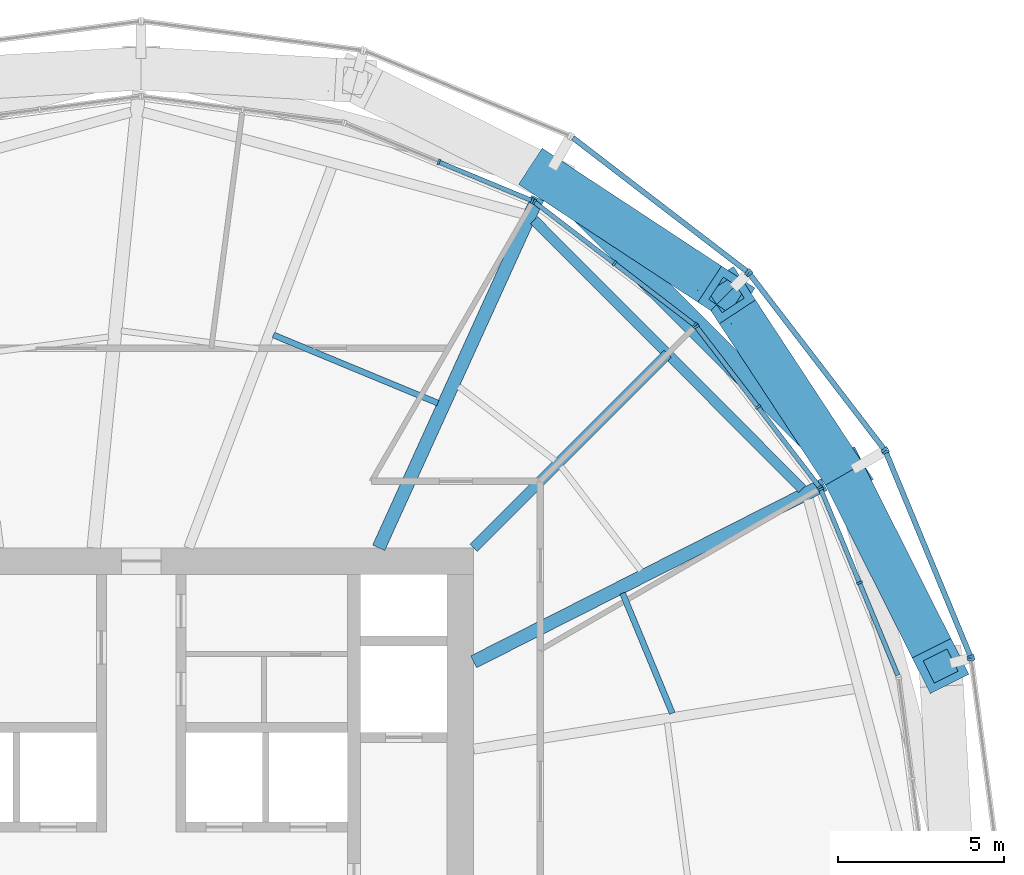
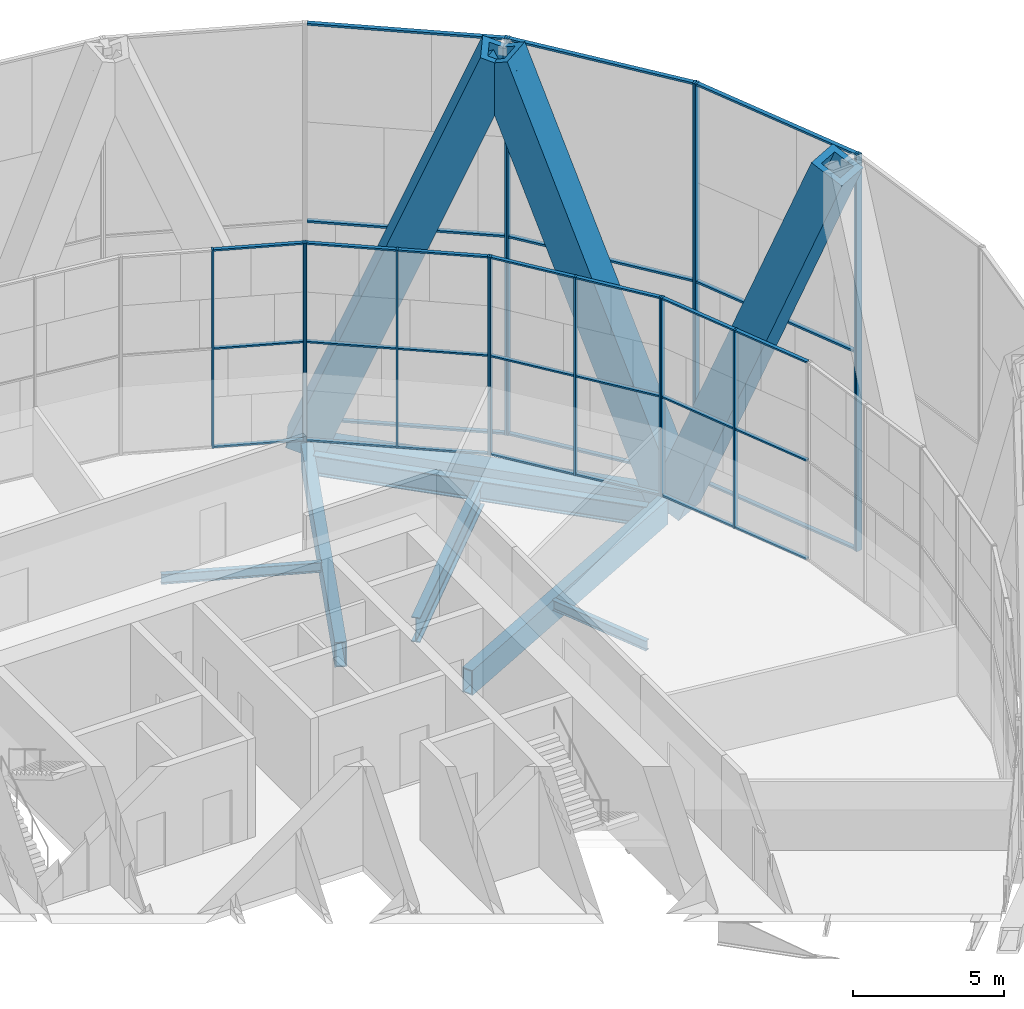
# One storey, part 8 of 22: 49 members, 7 beams, 8 elements without a shape of their own.
"""IFC4 building model written with IfcOpenShell, lengths in metres."""

from ifc_helpers import new_model, si_unit, direction, frame, origin, origin_2d, place, context, subcontext, project, spatial, rectangle, hollow_rectangle, i_section, extrude, material, material_profile, profile_set, type_object, element, aggregate, save


model = new_model("IFC4")

# Units and contexts
model_context = context("Model", 3, precision=1e-05, world=origin(), true_north=direction((0.0, 1.0)))
body_context = subcontext(model_context, "Body", "Model", "MODEL_VIEW")
ifc_project = project(units=[si_unit("LENGTHUNIT", "METRE"), si_unit("AREAUNIT", "SQUARE_METRE"), si_unit("VOLUMEUNIT", "CUBIC_METRE"), si_unit("PLANEANGLEUNIT", "RADIAN"), si_unit("MASSUNIT", "GRAM", prefix="KILO")], contexts=[model_context])

# Site, building, storey
site_placement = place(None, origin())
site = spatial("IfcSite", under=ifc_project, at=site_placement, CompositionType="ELEMENT")
building_placement = place(site_placement, origin())
building = spatial("IfcBuilding", under=site, at=building_placement, Name="Golbaran Civic Tower", CompositionType="ELEMENT")
storey_placement = place(building_placement, frame((0.0, 0.0, 53.0)))
storey = spatial("IfcBuildingStorey", under=building, at=storey_placement, Name="L12", CompositionType="ELEMENT", Elevation=53.0)

# Members
ifc_material_1 = material(Name="Steel S355", Category="steel")
ifc_material_profile_1 = material_profile(ifc_material_1, hollow_rectangle(XDim=1.300048828125, YDim=1.300048828125, WallThickness=0.25, at=origin_2d()), Name="BOX 1300x1300x250")
ifc_profile_set_1 = profile_set([ifc_material_profile_1], Name="Steel S355")
member_type_1 = type_object("IfcMemberType", Name="DIAGRID DIAGONAL BOX 1300x1300x250", PredefinedType="BRACE", material=ifc_profile_set_1)
for number, where, z_axis, x_axis, name in (
    (1, (21.144775390625, 12.2080078125, -0.7099609375), (-0.205433100936, 0.312571904213, 0.927413632494), (-0.835670254268, -0.549231486835, 0.0), "Diagonal D02-01R L12-L16"),
    (2, (21.144775390625, 12.2080078125, -0.7099609375), (0.167988782201, -0.334194514401, 0.927412419368), (0.893471758734, 0.449119378723, 0.0), "Diagonal D02-01L L12-L16"),
    (3, (12.2080078125, 21.144775390625, -0.7099609375), (0.312571904213, -0.205433100936, 0.927413632494), (0.549231486835, 0.835670254268, 0.0), "Diagonal D02-02L L12-L16"),
):
    element("IfcMember", number, at=place(storey_placement, frame(where, z_axis=z_axis, x_axis=x_axis)), inside=storey, type_object=member_type_1, Name=name, PredefinedType="BRACE", context=body_context, shape_type="SweptSolid", body=[
        extrude(hollow_rectangle(XDim=1.300048828125, YDim=1.300048828125, WallThickness=0.25, at=origin_2d()), origin(), (0.0, 0.0, 1.0), 17.252197265625),
    ])

# Beams
ifc_material_profile_2 = material_profile(ifc_material_1, hollow_rectangle(XDim=0.699951171875, YDim=0.699951171875, WallThickness=0.080078125, at=origin_2d()), Name="BOX 700x700x80")
ifc_profile_set_2 = profile_set([ifc_material_profile_2], Name="Steel S355")
beam_type_1 = type_object("IfcBeamType", Name="DIAGRID RING TIE BOX 700x700x80", PredefinedType="BEAM", material=ifc_profile_set_2)
beam_1_placement = place(storey_placement, frame((21.144775390625, 12.2080078125, -0.7099609375), z_axis=(-0.707106781187, 0.707106781187, 0.0), x_axis=(-0.707106781187, -0.707106781187, 0.0)))
element("IfcBeam", 4, at=beam_1_placement, inside=storey, type_object=beam_type_1, Name="Ring tie 30.00 L12", PredefinedType="BEAM", context=body_context, shape_type="SweptSolid", body=[
    extrude(hollow_rectangle(XDim=0.699951171875, YDim=0.699951171875, WallThickness=0.080078125, at=origin_2d()), origin(), (0.0, 0.0, 1.0), 12.638427734375),
])
ifc_material_profile_3 = material_profile(ifc_material_1, i_section(OverallWidth=0.300048828125, OverallDepth=0.800048828125, WebThickness=0.017578125, FlangeThickness=0.032958984375, FilletRadius=0.030029296875, at=origin_2d()), Name="HEB 800")
ifc_profile_set_3 = profile_set([ifc_material_profile_3], Name="Steel S355")
beam_type_2 = type_object("IfcBeamType", Name="EDGE BEAM HEB 800", PredefinedType="BEAM", material=ifc_profile_set_3)
beam_2_placement = place(storey_placement, frame((19.88232421875, 11.771240234375, -0.60009765625), z_axis=(-0.706293695852, 0.707918932647, 0.0), x_axis=(-0.707918932647, -0.706293695852, 0.0)))
element("IfcBeam", 5, at=beam_2_placement, inside=storey, type_object=beam_type_2, Name="Edge beam 30.00 L12", PredefinedType="BEAM", context=body_context, shape_type="SweptSolid", body=[
    extrude(i_section(OverallWidth=0.300048828125, OverallDepth=0.800048828125, WebThickness=0.017578125, FlangeThickness=0.032958984375, FilletRadius=0.030029296875, at=origin_2d()), origin(), (0.0, 0.0, 1.0), 11.41650390625),
])
ifc_material_profile_4 = material_profile(ifc_material_1, i_section(OverallWidth=0.179931640625, OverallDepth=0.39990234375, WebThickness=0.008544921875, FlangeThickness=0.013427734375, FilletRadius=0.02099609375, at=origin_2d()), Name="IPE 400")
ifc_profile_set_4 = profile_set([ifc_material_profile_4], Name="Steel S355")
beam_type_3 = type_object("IfcBeamType", Name="FLOOR INFILL BEAM IPE 400", PredefinedType="BEAM", material=ifc_profile_set_4)
beam_3_placement = place(storey_placement, frame((15.973388671875, 5.023193359375, -0.39990234375), z_axis=(-0.382649693882, 0.923893506727, 0.0), x_axis=(-0.923893506727, -0.382649693882, 0.0)))
element("IfcBeam", 6, at=beam_3_placement, inside=storey, type_object=beam_type_3, Name="Infill beam 22.50 L12", PredefinedType="BEAM", context=body_context, shape_type="SweptSolid", body=[
    extrude(i_section(OverallWidth=0.179931640625, OverallDepth=0.39990234375, WebThickness=0.008544921875, FlangeThickness=0.013427734375, FilletRadius=0.02099609375, at=origin_2d()), origin(), (0.0, 0.0, 1.0), 3.908447265625),
])
beam_4_placement = place(storey_placement, frame((8.923095703125, 14.35205078125, -0.39990234375), z_axis=(-0.923884052743, 0.382672519379, 0.0), x_axis=(-0.382672519379, -0.923884052743, 0.0)))
element("IfcBeam", 7, at=beam_4_placement, inside=storey, type_object=beam_type_3, Name="Infill beam 67.50 L12", PredefinedType="BEAM", context=body_context, shape_type="SweptSolid", body=[
    extrude(i_section(OverallWidth=0.179931640625, OverallDepth=0.39990234375, WebThickness=0.008544921875, FlangeThickness=0.013427734375, FilletRadius=0.02099609375, at=origin_2d()), origin(), (0.0, 0.0, 1.0), 5.35595703125),
])

# Curtain wall, members
ifc_material_2 = material(Name="Aluminium and glass", Category="aluminium")
curtain_wall_type_1 = type_object("IfcCurtainWallType", Name="INNER SKIN CURTAIN WALL", PredefinedType="NOTDEFINED", material=ifc_material_2)
curtain_wall_1_placement = place(storey_placement, origin())
curtain_wall_1 = element("IfcCurtainWall", 8, at=curtain_wall_1_placement, inside=storey, type_object=curtain_wall_type_1, Name="Inner skin L12 facet 2 CW1", ObjectType="INNER SKIN", PredefinedType="USERDEFINED")
ifc_material_3 = material(Name="Aluminium", Category="aluminium")
ifc_material_profile_5 = material_profile(ifc_material_3, rectangle(XDim=0.179931640625, YDim=0.06494140625, at=origin_2d()), Name="INNER SKIN CURTAIN WALL MULLION")
ifc_profile_set_5 = profile_set([ifc_material_profile_5], Name="Aluminium")
member_type_2 = type_object("IfcMemberType", Name="INNER SKIN CURTAIN WALL MULLION", PredefinedType="MULLION", material=ifc_profile_set_5)
member_1_placement = place(storey_placement, frame((21.603271484375, 8.948486328125, 0.0), z_axis=(0.0, 0.0, 1.0), x_axis=(-0.923879532491, -0.382683432413, 0.0)))
member_1 = element("IfcMember", 9, at=member_1_placement, type_object=member_type_2, Name="CW1 mullion 2", PredefinedType="MULLION", context=body_context, shape_type="SweptSolid", body=[
    extrude(rectangle(XDim=0.179931640625, YDim=0.06494140625, at=origin_2d()), origin(), (0.0, 0.0, 1.0), 8.0),
])
member_2_placement = place(storey_placement, frame((20.437744140625, 11.762451171875, 0.0), z_axis=(0.0, 0.0, 1.0), x_axis=(-0.923879532491, -0.382683432413, 0.0)))
member_2 = element("IfcMember", 10, at=member_2_placement, type_object=member_type_2, Name="CW1 mullion 3", PredefinedType="MULLION", context=body_context, shape_type="SweptSolid", body=[
    extrude(rectangle(XDim=0.179931640625, YDim=0.06494140625, at=origin_2d()), origin(), (0.0, 0.0, 1.0), 8.0),
])

curtain_wall_2_placement = place(storey_placement, origin())
curtain_wall_2 = element("IfcCurtainWall", 11, at=curtain_wall_2_placement, inside=storey, type_object=curtain_wall_type_1, Name="Inner skin L12 facet 3 CW1", ObjectType="INNER SKIN", PredefinedType="USERDEFINED")
member_3_placement = place(storey_placement, frame((20.405517578125, 11.818359375, 0.0), z_axis=(0.0, 0.0, 1.0), x_axis=(-0.79335334027, -0.608761429036, 0.0)))
member_3 = element("IfcMember", 12, at=member_3_placement, type_object=member_type_2, Name="CW1 mullion 1", PredefinedType="MULLION", context=body_context, shape_type="SweptSolid", body=[
    extrude(rectangle(XDim=0.179931640625, YDim=0.06494140625, at=origin_2d()), origin(), (0.0, 0.0, 1.0), 8.0),
])
member_4_placement = place(storey_placement, frame((18.55126953125, 14.23486328125, 0.0), z_axis=(0.0, 0.0, 1.0), x_axis=(-0.79335334027, -0.608761429036, 0.0)))
member_4 = element("IfcMember", 13, at=member_4_placement, type_object=member_type_2, Name="CW1 mullion 2", PredefinedType="MULLION", context=body_context, shape_type="SweptSolid", body=[
    extrude(rectangle(XDim=0.179931640625, YDim=0.06494140625, at=origin_2d()), origin(), (0.0, 0.0, 1.0), 8.0),
])
member_5_placement = place(storey_placement, frame((16.69677734375, 16.6513671875, 0.0), z_axis=(0.0, 0.0, 1.0), x_axis=(-0.79335334027, -0.608761429036, 0.0)))
member_5 = element("IfcMember", 14, at=member_5_placement, type_object=member_type_2, Name="CW1 mullion 3", PredefinedType="MULLION", context=body_context, shape_type="SweptSolid", body=[
    extrude(rectangle(XDim=0.179931640625, YDim=0.06494140625, at=origin_2d()), origin(), (0.0, 0.0, 1.0), 8.0),
])

curtain_wall_3_placement = place(storey_placement, origin())
curtain_wall_3 = element("IfcCurtainWall", 15, at=curtain_wall_3_placement, inside=storey, type_object=curtain_wall_type_1, Name="Inner skin L12 facet 4 CW1", ObjectType="INNER SKIN", PredefinedType="USERDEFINED")
member_6_placement = place(storey_placement, frame((16.6513671875, 16.69677734375, 0.0), z_axis=(0.0, 0.0, 1.0), x_axis=(-0.608761429036, -0.79335334027, 0.0)))
member_6 = element("IfcMember", 16, at=member_6_placement, type_object=member_type_2, Name="CW1 mullion 1", PredefinedType="MULLION", context=body_context, shape_type="SweptSolid", body=[
    extrude(rectangle(XDim=0.179931640625, YDim=0.06494140625, at=origin_2d()), origin(), (0.0, 0.0, 1.0), 8.0),
])
member_7_placement = place(storey_placement, frame((14.23486328125, 18.55126953125, 0.0), z_axis=(0.0, 0.0, 1.0), x_axis=(-0.608761429036, -0.79335334027, 0.0)))
member_7 = element("IfcMember", 17, at=member_7_placement, type_object=member_type_2, Name="CW1 mullion 2", PredefinedType="MULLION", context=body_context, shape_type="SweptSolid", body=[
    extrude(rectangle(XDim=0.179931640625, YDim=0.06494140625, at=origin_2d()), origin(), (0.0, 0.0, 1.0), 8.0),
])
member_8_placement = place(storey_placement, frame((11.818359375, 20.405517578125, 0.0), z_axis=(0.0, 0.0, 1.0), x_axis=(-0.608761429036, -0.79335334027, 0.0)))
member_8 = element("IfcMember", 18, at=member_8_placement, type_object=member_type_2, Name="CW1 mullion 3", PredefinedType="MULLION", context=body_context, shape_type="SweptSolid", body=[
    extrude(rectangle(XDim=0.179931640625, YDim=0.06494140625, at=origin_2d()), origin(), (0.0, 0.0, 1.0), 8.0),
])

curtain_wall_4_placement = place(storey_placement, origin())
curtain_wall_4 = element("IfcCurtainWall", 19, at=curtain_wall_4_placement, inside=storey, type_object=curtain_wall_type_1, Name="Inner skin L12 facet 5 CW1", ObjectType="INNER SKIN", PredefinedType="USERDEFINED")
member_9_placement = place(storey_placement, frame((11.762451171875, 20.437744140625, 0.0), z_axis=(0.0, 0.0, 1.0), x_axis=(-0.382683432413, -0.923879532491, 0.0)))
member_9 = element("IfcMember", 20, at=member_9_placement, type_object=member_type_2, Name="CW1 mullion 1", PredefinedType="MULLION", context=body_context, shape_type="SweptSolid", body=[
    extrude(rectangle(XDim=0.179931640625, YDim=0.06494140625, at=origin_2d()), origin(), (0.0, 0.0, 1.0), 8.0),
])
member_10_placement = place(storey_placement, frame((8.948486328125, 21.603271484375, 0.0), z_axis=(0.0, 0.0, 1.0), x_axis=(-0.382683432413, -0.923879532491, 0.0)))
member_10 = element("IfcMember", 21, at=member_10_placement, type_object=member_type_2, Name="CW1 mullion 2", PredefinedType="MULLION", context=body_context, shape_type="SweptSolid", body=[
    extrude(rectangle(XDim=0.179931640625, YDim=0.06494140625, at=origin_2d()), origin(), (0.0, 0.0, 1.0), 8.0),
])

# Member
ifc_material_profile_6 = material_profile(ifc_material_3, rectangle(XDim=0.139892578125, YDim=0.06494140625, at=origin_2d()), Name="INNER SKIN CURTAIN WALL TRANSOM")
ifc_profile_set_6 = profile_set([ifc_material_profile_6], Name="Aluminium")
member_type_3 = type_object("IfcMemberType", Name="INNER SKIN CURTAIN WALL TRANSOM", PredefinedType="USERDEFINED", material=ifc_profile_set_6)
member_11_placement = place(storey_placement, frame((22.756591796875, 6.164306640625, 0.032470703125), z_axis=(-0.382701383548, 0.923872096684, 0.0), x_axis=(-0.923872096684, -0.382701383548, 0.0)))
member_11 = element("IfcMember", 22, at=member_11_placement, type_object=member_type_3, Name="CW1 transom 1.1", ObjectType="TRANSOM", PredefinedType="USERDEFINED", context=body_context, shape_type="SweptSolid", body=[
    extrude(rectangle(XDim=0.139892578125, YDim=0.06494140625, at=origin_2d()), origin(), (0.0, 0.0, 1.0), 2.981201171875),
])

member_12_placement = place(storey_placement, frame((22.756591796875, 6.164306640625, 4.0), z_axis=(-0.382701383548, 0.923872096684, 0.0), x_axis=(-0.923872096684, -0.382701383548, 0.0)))
member_12 = element("IfcMember", 23, at=member_12_placement, type_object=member_type_3, Name="CW1 transom 1.2", ObjectType="TRANSOM", PredefinedType="USERDEFINED", context=body_context, shape_type="SweptSolid", body=[
    extrude(rectangle(XDim=0.139892578125, YDim=0.06494140625, at=origin_2d()), origin(), (0.0, 0.0, 1.0), 2.981201171875),
])

member_13_placement = place(storey_placement, frame((22.756591796875, 6.164306640625, 7.967529296875), z_axis=(-0.382701383548, 0.923872096684, 0.0), x_axis=(-0.923872096684, -0.382701383548, 0.0)))
member_13 = element("IfcMember", 24, at=member_13_placement, type_object=member_type_3, Name="CW1 transom 1.3", ObjectType="TRANSOM", PredefinedType="USERDEFINED", context=body_context, shape_type="SweptSolid", body=[
    extrude(rectangle(XDim=0.139892578125, YDim=0.06494140625, at=origin_2d()), origin(), (0.0, 0.0, 1.0), 2.981201171875),
])

member_14_placement = place(storey_placement, frame((21.5908203125, 8.978515625, 0.032470703125), z_axis=(-0.382660432893, 0.923889058869, 0.0), x_axis=(-0.923889058869, -0.382660432893, 0.0)))
member_14 = element("IfcMember", 25, at=member_14_placement, type_object=member_type_3, Name="CW1 transom 2.1", ObjectType="TRANSOM", PredefinedType="USERDEFINED", context=body_context, shape_type="SweptSolid", body=[
    extrude(rectangle(XDim=0.139892578125, YDim=0.06494140625, at=origin_2d()), origin(), (0.0, 0.0, 1.0), 2.980712890625),
])

member_15_placement = place(storey_placement, frame((21.5908203125, 8.978515625, 4.0), z_axis=(-0.382660432893, 0.923889058869, 0.0), x_axis=(-0.923889058869, -0.382660432893, 0.0)))
member_15 = element("IfcMember", 26, at=member_15_placement, type_object=member_type_3, Name="CW1 transom 2.2", ObjectType="TRANSOM", PredefinedType="USERDEFINED", context=body_context, shape_type="SweptSolid", body=[
    extrude(rectangle(XDim=0.139892578125, YDim=0.06494140625, at=origin_2d()), origin(), (0.0, 0.0, 1.0), 2.980712890625),
])

member_16_placement = place(storey_placement, frame((21.5908203125, 8.978515625, 7.967529296875), z_axis=(-0.382660432893, 0.923889058869, 0.0), x_axis=(-0.923889058869, -0.382660432893, 0.0)))
member_16 = element("IfcMember", 27, at=member_16_placement, type_object=member_type_3, Name="CW1 transom 2.3", ObjectType="TRANSOM", PredefinedType="USERDEFINED", context=body_context, shape_type="SweptSolid", body=[
    extrude(rectangle(XDim=0.139892578125, YDim=0.06494140625, at=origin_2d()), origin(), (0.0, 0.0, 1.0), 2.980712890625),
])

aggregate(curtain_wall_1, [member_1, member_2, member_11, member_12, member_13, member_14, member_15, member_16])

member_17_placement = place(storey_placement, frame((20.3857421875, 11.843994140625, 0.032470703125), z_axis=(-0.608756452926, 0.793357158549, 0.0), x_axis=(-0.793357158549, -0.608756452926, 0.0)))
member_17 = element("IfcMember", 28, at=member_17_placement, type_object=member_type_3, Name="CW1 transom 1.1", ObjectType="TRANSOM", PredefinedType="USERDEFINED", context=body_context, shape_type="SweptSolid", body=[
    extrude(rectangle(XDim=0.139892578125, YDim=0.06494140625, at=origin_2d()), origin(), (0.0, 0.0, 1.0), 2.98095703125),
])

member_18_placement = place(storey_placement, frame((20.3857421875, 11.843994140625, 4.0), z_axis=(-0.608756452926, 0.793357158549, 0.0), x_axis=(-0.793357158549, -0.608756452926, 0.0)))
member_18 = element("IfcMember", 29, at=member_18_placement, type_object=member_type_3, Name="CW1 transom 1.2", ObjectType="TRANSOM", PredefinedType="USERDEFINED", context=body_context, shape_type="SweptSolid", body=[
    extrude(rectangle(XDim=0.139892578125, YDim=0.06494140625, at=origin_2d()), origin(), (0.0, 0.0, 1.0), 2.98095703125),
])

member_19_placement = place(storey_placement, frame((20.3857421875, 11.843994140625, 7.967529296875), z_axis=(-0.608756452926, 0.793357158549, 0.0), x_axis=(-0.793357158549, -0.608756452926, 0.0)))
member_19 = element("IfcMember", 30, at=member_19_placement, type_object=member_type_3, Name="CW1 transom 1.3", ObjectType="TRANSOM", PredefinedType="USERDEFINED", context=body_context, shape_type="SweptSolid", body=[
    extrude(rectangle(XDim=0.139892578125, YDim=0.06494140625, at=origin_2d()), origin(), (0.0, 0.0, 1.0), 2.98095703125),
])

member_20_placement = place(storey_placement, frame((18.531494140625, 14.260498046875, 0.032470703125), z_axis=(-0.608756452926, 0.793357158549, 0.0), x_axis=(-0.793357158549, -0.608756452926, 0.0)))
member_20 = element("IfcMember", 31, at=member_20_placement, type_object=member_type_3, Name="CW1 transom 2.1", ObjectType="TRANSOM", PredefinedType="USERDEFINED", context=body_context, shape_type="SweptSolid", body=[
    extrude(rectangle(XDim=0.139892578125, YDim=0.06494140625, at=origin_2d()), origin(), (0.0, 0.0, 1.0), 2.98095703125),
])

member_21_placement = place(storey_placement, frame((18.531494140625, 14.260498046875, 4.0), z_axis=(-0.608756452926, 0.793357158549, 0.0), x_axis=(-0.793357158549, -0.608756452926, 0.0)))
member_21 = element("IfcMember", 32, at=member_21_placement, type_object=member_type_3, Name="CW1 transom 2.2", ObjectType="TRANSOM", PredefinedType="USERDEFINED", context=body_context, shape_type="SweptSolid", body=[
    extrude(rectangle(XDim=0.139892578125, YDim=0.06494140625, at=origin_2d()), origin(), (0.0, 0.0, 1.0), 2.98095703125),
])

member_22_placement = place(storey_placement, frame((18.531494140625, 14.260498046875, 7.967529296875), z_axis=(-0.608756452926, 0.793357158549, 0.0), x_axis=(-0.793357158549, -0.608756452926, 0.0)))
member_22 = element("IfcMember", 33, at=member_22_placement, type_object=member_type_3, Name="CW1 transom 2.3", ObjectType="TRANSOM", PredefinedType="USERDEFINED", context=body_context, shape_type="SweptSolid", body=[
    extrude(rectangle(XDim=0.139892578125, YDim=0.06494140625, at=origin_2d()), origin(), (0.0, 0.0, 1.0), 2.98095703125),
])

aggregate(curtain_wall_2, [member_3, member_4, member_5, member_17, member_18, member_19, member_20, member_21, member_22])

member_23_placement = place(storey_placement, frame((16.62548828125, 16.716796875, 0.032470703125), z_axis=(-0.793357158549, 0.608756452926, 0.0), x_axis=(-0.608756452926, -0.793357158549, 0.0)))
member_23 = element("IfcMember", 34, at=member_23_placement, type_object=member_type_3, Name="CW1 transom 1.1", ObjectType="TRANSOM", PredefinedType="USERDEFINED", context=body_context, shape_type="SweptSolid", body=[
    extrude(rectangle(XDim=0.139892578125, YDim=0.06494140625, at=origin_2d()), origin(), (0.0, 0.0, 1.0), 2.98095703125),
])

member_24_placement = place(storey_placement, frame((16.62548828125, 16.716796875, 4.0), z_axis=(-0.793357158549, 0.608756452926, 0.0), x_axis=(-0.608756452926, -0.793357158549, 0.0)))
member_24 = element("IfcMember", 35, at=member_24_placement, type_object=member_type_3, Name="CW1 transom 1.2", ObjectType="TRANSOM", PredefinedType="USERDEFINED", context=body_context, shape_type="SweptSolid", body=[
    extrude(rectangle(XDim=0.139892578125, YDim=0.06494140625, at=origin_2d()), origin(), (0.0, 0.0, 1.0), 2.98095703125),
])

member_25_placement = place(storey_placement, frame((16.62548828125, 16.716796875, 7.967529296875), z_axis=(-0.793357158549, 0.608756452926, 0.0), x_axis=(-0.608756452926, -0.793357158549, 0.0)))
member_25 = element("IfcMember", 36, at=member_25_placement, type_object=member_type_3, Name="CW1 transom 1.3", ObjectType="TRANSOM", PredefinedType="USERDEFINED", context=body_context, shape_type="SweptSolid", body=[
    extrude(rectangle(XDim=0.139892578125, YDim=0.06494140625, at=origin_2d()), origin(), (0.0, 0.0, 1.0), 2.98095703125),
])

member_26_placement = place(storey_placement, frame((14.208984375, 18.571044921875, 0.032470703125), z_axis=(-0.793357158549, 0.608756452926, 0.0), x_axis=(-0.608756452926, -0.793357158549, 0.0)))
member_26 = element("IfcMember", 37, at=member_26_placement, type_object=member_type_3, Name="CW1 transom 2.1", ObjectType="TRANSOM", PredefinedType="USERDEFINED", context=body_context, shape_type="SweptSolid", body=[
    extrude(rectangle(XDim=0.139892578125, YDim=0.06494140625, at=origin_2d()), origin(), (0.0, 0.0, 1.0), 2.98095703125),
])

member_27_placement = place(storey_placement, frame((14.208984375, 18.571044921875, 4.0), z_axis=(-0.793357158549, 0.608756452926, 0.0), x_axis=(-0.608756452926, -0.793357158549, 0.0)))
member_27 = element("IfcMember", 38, at=member_27_placement, type_object=member_type_3, Name="CW1 transom 2.2", ObjectType="TRANSOM", PredefinedType="USERDEFINED", context=body_context, shape_type="SweptSolid", body=[
    extrude(rectangle(XDim=0.139892578125, YDim=0.06494140625, at=origin_2d()), origin(), (0.0, 0.0, 1.0), 2.98095703125),
])

member_28_placement = place(storey_placement, frame((14.208984375, 18.571044921875, 7.967529296875), z_axis=(-0.793357158549, 0.608756452926, 0.0), x_axis=(-0.608756452926, -0.793357158549, 0.0)))
member_28 = element("IfcMember", 39, at=member_28_placement, type_object=member_type_3, Name="CW1 transom 2.3", ObjectType="TRANSOM", PredefinedType="USERDEFINED", context=body_context, shape_type="SweptSolid", body=[
    extrude(rectangle(XDim=0.139892578125, YDim=0.06494140625, at=origin_2d()), origin(), (0.0, 0.0, 1.0), 2.98095703125),
])

aggregate(curtain_wall_3, [member_6, member_7, member_8, member_23, member_24, member_25, member_26, member_27, member_28])

member_29_placement = place(storey_placement, frame((11.732421875, 20.4501953125, 0.032470703125), z_axis=(-0.923889058869, 0.382660432893, 0.0), x_axis=(-0.382660432893, -0.923889058869, 0.0)))
member_29 = element("IfcMember", 40, at=member_29_placement, type_object=member_type_3, Name="CW1 transom 1.1", ObjectType="TRANSOM", PredefinedType="USERDEFINED", context=body_context, shape_type="SweptSolid", body=[
    extrude(rectangle(XDim=0.139892578125, YDim=0.06494140625, at=origin_2d()), origin(), (0.0, 0.0, 1.0), 2.980712890625),
])

member_30_placement = place(storey_placement, frame((11.732421875, 20.4501953125, 4.0), z_axis=(-0.923889058869, 0.382660432893, 0.0), x_axis=(-0.382660432893, -0.923889058869, 0.0)))
member_30 = element("IfcMember", 41, at=member_30_placement, type_object=member_type_3, Name="CW1 transom 1.2", ObjectType="TRANSOM", PredefinedType="USERDEFINED", context=body_context, shape_type="SweptSolid", body=[
    extrude(rectangle(XDim=0.139892578125, YDim=0.06494140625, at=origin_2d()), origin(), (0.0, 0.0, 1.0), 2.980712890625),
])

member_31_placement = place(storey_placement, frame((11.732421875, 20.4501953125, 7.967529296875), z_axis=(-0.923889058869, 0.382660432893, 0.0), x_axis=(-0.382660432893, -0.923889058869, 0.0)))
member_31 = element("IfcMember", 42, at=member_31_placement, type_object=member_type_3, Name="CW1 transom 1.3", ObjectType="TRANSOM", PredefinedType="USERDEFINED", context=body_context, shape_type="SweptSolid", body=[
    extrude(rectangle(XDim=0.139892578125, YDim=0.06494140625, at=origin_2d()), origin(), (0.0, 0.0, 1.0), 2.980712890625),
])

aggregate(curtain_wall_4, [member_9, member_10, member_29, member_30, member_31])

# Curtain wall, member
curtain_wall_type_2 = type_object("IfcCurtainWallType", Name="OUTER SKIN TERRACOTTA SCREEN", PredefinedType="NOTDEFINED", material=ifc_material_2)
curtain_wall_5_placement = place(storey_placement, origin())
curtain_wall_5 = element("IfcCurtainWall", 43, at=curtain_wall_5_placement, inside=storey, type_object=curtain_wall_type_2, Name="Outer skin L12 facet 1 CW3", ObjectType="OUTER SKIN", PredefinedType="USERDEFINED")
ifc_material_profile_7 = material_profile(ifc_material_3, rectangle(XDim=0.219970703125, YDim=0.080078125, at=origin_2d()), Name="OUTER SKIN TERRACOTTA SCREEN MULLION")
ifc_profile_set_7 = profile_set([ifc_material_profile_7], Name="Aluminium")
member_type_4 = type_object("IfcMemberType", Name="OUTER SKIN TERRACOTTA SCREEN MULLION", PredefinedType="MULLION", material=ifc_profile_set_7)
member_32_placement = place(storey_placement, frame((24.9658203125, 6.6484375, -0.7099609375), z_axis=(0.0, 0.0, 1.0), x_axis=(-0.991444861369, -0.130526192255, 0.0)))
member_32 = element("IfcMember", 44, at=member_32_placement, type_object=member_type_4, Name="CW3 mullion 2", PredefinedType="MULLION", context=body_context, shape_type="SweptSolid", body=[
    extrude(rectangle(XDim=0.219970703125, YDim=0.080078125, at=origin_2d()), origin(), (0.0, 0.0, 1.0), 16.0),
])
aggregate(curtain_wall_5, [member_32])

# Curtain wall, members
curtain_wall_6_placement = place(storey_placement, origin())
curtain_wall_6 = element("IfcCurtainWall", 45, at=curtain_wall_6_placement, inside=storey, type_object=curtain_wall_type_2, Name="Outer skin L12 facet 2 CW3", ObjectType="OUTER SKIN", PredefinedType="USERDEFINED")
member_33_placement = place(storey_placement, frame((24.945068359375, 6.72509765625, -0.7099609375), z_axis=(0.0, 0.0, 1.0), x_axis=(-0.923879532518, -0.382683432349, 0.0)))
member_33 = element("IfcMember", 46, at=member_33_placement, type_object=member_type_4, Name="CW3 mullion 1", PredefinedType="MULLION", context=body_context, shape_type="SweptSolid", body=[
    extrude(rectangle(XDim=0.219970703125, YDim=0.080078125, at=origin_2d()), origin(), (0.0, 0.0, 1.0), 16.0),
])
member_34_placement = place(storey_placement, frame((22.394287109375, 12.883544921875, -0.7099609375), z_axis=(0.0, 0.0, 1.0), x_axis=(-0.923879532518, -0.382683432349, 0.0)))
member_34 = element("IfcMember", 47, at=member_34_placement, type_object=member_type_4, Name="CW3 mullion 2", PredefinedType="MULLION", context=body_context, shape_type="SweptSolid", body=[
    extrude(rectangle(XDim=0.219970703125, YDim=0.080078125, at=origin_2d()), origin(), (0.0, 0.0, 1.0), 16.0),
])

curtain_wall_7_placement = place(storey_placement, origin())
curtain_wall_7 = element("IfcCurtainWall", 48, at=curtain_wall_7_placement, inside=storey, type_object=curtain_wall_type_2, Name="Outer skin L12 facet 3 CW3", ObjectType="OUTER SKIN", PredefinedType="USERDEFINED")
member_35_placement = place(storey_placement, frame((22.3544921875, 12.9521484375, -0.7099609375), z_axis=(0.0, 0.0, 1.0), x_axis=(-0.793353340355, -0.608761428926, 0.0)))
member_35 = element("IfcMember", 49, at=member_35_placement, type_object=member_type_4, Name="CW3 mullion 1", PredefinedType="MULLION", context=body_context, shape_type="SweptSolid", body=[
    extrude(rectangle(XDim=0.219970703125, YDim=0.080078125, at=origin_2d()), origin(), (0.0, 0.0, 1.0), 16.0),
])
member_36_placement = place(storey_placement, frame((18.296630859375, 18.24072265625, -0.7099609375), z_axis=(0.0, 0.0, 1.0), x_axis=(-0.793353340355, -0.608761428926, 0.0)))
member_36 = element("IfcMember", 50, at=member_36_placement, type_object=member_type_4, Name="CW3 mullion 2", PredefinedType="MULLION", context=body_context, shape_type="SweptSolid", body=[
    extrude(rectangle(XDim=0.219970703125, YDim=0.080078125, at=origin_2d()), origin(), (0.0, 0.0, 1.0), 16.0),
])

# Curtain wall, member
curtain_wall_8_placement = place(storey_placement, origin())
curtain_wall_8 = element("IfcCurtainWall", 51, at=curtain_wall_8_placement, inside=storey, type_object=curtain_wall_type_2, Name="Outer skin L12 facet 4 CW3", ObjectType="OUTER SKIN", PredefinedType="USERDEFINED")
member_37_placement = place(storey_placement, frame((18.24072265625, 18.296630859375, -0.7099609375), z_axis=(0.0, 0.0, 1.0), x_axis=(-0.608761428926, -0.793353340355, 0.0)))
member_37 = element("IfcMember", 52, at=member_37_placement, type_object=member_type_4, Name="CW3 mullion 1", PredefinedType="MULLION", context=body_context, shape_type="SweptSolid", body=[
    extrude(rectangle(XDim=0.219970703125, YDim=0.080078125, at=origin_2d()), origin(), (0.0, 0.0, 1.0), 16.0),
])

# Member
ifc_material_profile_8 = material_profile(ifc_material_3, rectangle(XDim=0.159912109375, YDim=0.080078125, at=origin_2d()), Name="OUTER SKIN TERRACOTTA SCREEN TRANSOM")
ifc_profile_set_8 = profile_set([ifc_material_profile_8], Name="Aluminium")
member_type_5 = type_object("IfcMemberType", Name="OUTER SKIN TERRACOTTA SCREEN TRANSOM", PredefinedType="USERDEFINED", material=ifc_profile_set_8)
member_38_placement = place(storey_placement, frame((24.929931640625, 6.761962890625, -0.669921875), z_axis=(-0.382669364313, 0.923885359564, 0.0), x_axis=(-0.923885359564, -0.382669364313, 0.0)))
member_38 = element("IfcMember", 53, at=member_38_placement, type_object=member_type_5, Name="CW3 transom 1.1", ObjectType="TRANSOM", PredefinedType="USERDEFINED", context=body_context, shape_type="SweptSolid", body=[
    extrude(rectangle(XDim=0.159912109375, YDim=0.080078125, at=origin_2d()), origin(), (0.0, 0.0, 1.0), 6.5859375),
])

member_39_placement = place(storey_placement, frame((24.929931640625, 6.761962890625, 7.2900390625), z_axis=(-0.382669364313, 0.923885359564, 0.0), x_axis=(-0.923885359564, -0.382669364313, 0.0)))
member_39 = element("IfcMember", 54, at=member_39_placement, type_object=member_type_5, Name="CW3 transom 1.2", ObjectType="TRANSOM", PredefinedType="USERDEFINED", context=body_context, shape_type="SweptSolid", body=[
    extrude(rectangle(XDim=0.159912109375, YDim=0.080078125, at=origin_2d()), origin(), (0.0, 0.0, 1.0), 6.5859375),
])

member_40_placement = place(storey_placement, frame((24.929931640625, 6.761962890625, 15.25), z_axis=(-0.382669364313, 0.923885359564, 0.0), x_axis=(-0.923885359564, -0.382669364313, 0.0)))
member_40 = element("IfcMember", 55, at=member_40_placement, type_object=member_type_5, Name="CW3 transom 1.3", ObjectType="TRANSOM", PredefinedType="USERDEFINED", context=body_context, shape_type="SweptSolid", body=[
    extrude(rectangle(XDim=0.159912109375, YDim=0.080078125, at=origin_2d()), origin(), (0.0, 0.0, 1.0), 6.5859375),
])

aggregate(curtain_wall_6, [member_33, member_34, member_38, member_39, member_40])

member_41_placement = place(storey_placement, frame((22.330322265625, 12.98388671875, -0.669921875), z_axis=(-0.608753678221, 0.79335928762, 0.0), x_axis=(-0.79335928762, -0.608753678221, 0.0)))
member_41 = element("IfcMember", 56, at=member_41_placement, type_object=member_type_5, Name="CW3 transom 1.1", ObjectType="TRANSOM", PredefinedType="USERDEFINED", context=body_context, shape_type="SweptSolid", body=[
    extrude(rectangle(XDim=0.159912109375, YDim=0.080078125, at=origin_2d()), origin(), (0.0, 0.0, 1.0), 6.5859375),
])

member_42_placement = place(storey_placement, frame((22.330322265625, 12.98388671875, 7.2900390625), z_axis=(-0.608753678221, 0.79335928762, 0.0), x_axis=(-0.79335928762, -0.608753678221, 0.0)))
member_42 = element("IfcMember", 57, at=member_42_placement, type_object=member_type_5, Name="CW3 transom 1.2", ObjectType="TRANSOM", PredefinedType="USERDEFINED", context=body_context, shape_type="SweptSolid", body=[
    extrude(rectangle(XDim=0.159912109375, YDim=0.080078125, at=origin_2d()), origin(), (0.0, 0.0, 1.0), 6.5859375),
])

member_43_placement = place(storey_placement, frame((22.330322265625, 12.98388671875, 15.25), z_axis=(-0.608753678221, 0.79335928762, 0.0), x_axis=(-0.79335928762, -0.608753678221, 0.0)))
member_43 = element("IfcMember", 58, at=member_43_placement, type_object=member_type_5, Name="CW3 transom 1.3", ObjectType="TRANSOM", PredefinedType="USERDEFINED", context=body_context, shape_type="SweptSolid", body=[
    extrude(rectangle(XDim=0.159912109375, YDim=0.080078125, at=origin_2d()), origin(), (0.0, 0.0, 1.0), 6.5859375),
])

aggregate(curtain_wall_7, [member_35, member_36, member_41, member_42, member_43])

member_44_placement = place(storey_placement, frame((18.208984375, 18.321044921875, -0.669921875), z_axis=(-0.79335928762, 0.608753678221, 0.0), x_axis=(-0.608753678221, -0.79335928762, 0.0)))
member_44 = element("IfcMember", 59, at=member_44_placement, type_object=member_type_5, Name="CW3 transom 1.1", ObjectType="TRANSOM", PredefinedType="USERDEFINED", context=body_context, shape_type="SweptSolid", body=[
    extrude(rectangle(XDim=0.159912109375, YDim=0.080078125, at=origin_2d()), origin(), (0.0, 0.0, 1.0), 6.5859375),
])

member_45_placement = place(storey_placement, frame((18.208984375, 18.321044921875, 7.2900390625), z_axis=(-0.79335928762, 0.608753678221, 0.0), x_axis=(-0.608753678221, -0.79335928762, 0.0)))
member_45 = element("IfcMember", 60, at=member_45_placement, type_object=member_type_5, Name="CW3 transom 1.2", ObjectType="TRANSOM", PredefinedType="USERDEFINED", context=body_context, shape_type="SweptSolid", body=[
    extrude(rectangle(XDim=0.159912109375, YDim=0.080078125, at=origin_2d()), origin(), (0.0, 0.0, 1.0), 6.5859375),
])

member_46_placement = place(storey_placement, frame((18.208984375, 18.321044921875, 15.25), z_axis=(-0.79335928762, 0.608753678221, 0.0), x_axis=(-0.608753678221, -0.79335928762, 0.0)))
member_46 = element("IfcMember", 61, at=member_46_placement, type_object=member_type_5, Name="CW3 transom 1.3", ObjectType="TRANSOM", PredefinedType="USERDEFINED", context=body_context, shape_type="SweptSolid", body=[
    extrude(rectangle(XDim=0.159912109375, YDim=0.080078125, at=origin_2d()), origin(), (0.0, 0.0, 1.0), 6.5859375),
])

aggregate(curtain_wall_8, [member_37, member_44, member_45, member_46])

# Beams
ifc_material_profile_9 = material_profile(ifc_material_1, hollow_rectangle(XDim=0.39990234375, YDim=1.0, WallThickness=0.0400390625, at=origin_2d()), Name="BOX 1000x400x40")
ifc_profile_set_9 = profile_set([ifc_material_profile_9], Name="Steel S355")
beam_type_4 = type_object("IfcBeamType", Name="RADIAL FLOOR BEAM BOX 1000x400x40", PredefinedType="BEAM", material=ifc_profile_set_9)
beam_5_placement = place(storey_placement, frame((10.0, 6.571533203125, -0.7099609375), z_axis=(0.892363206425, 0.451317967533, 0.0), x_axis=(-0.451317967533, 0.892363206425, 0.0)))
element("IfcBeam", 62, at=beam_5_placement, inside=storey, type_object=beam_type_4, Name="Radial beam 30.00 L12", PredefinedType="BEAM", context=body_context, shape_type="SweptSolid", body=[
    extrude(hollow_rectangle(XDim=0.39990234375, YDim=1.0, WallThickness=0.0400390625, at=origin_2d()), origin(), (0.0, 0.0, 1.0), 11.811767578125),
])
beam_6_placement = place(storey_placement, frame((7.142822265625, 10.0, -0.7099609375), z_axis=(0.413761557067, 0.910385288707, 0.0), x_axis=(-0.910385288707, 0.413761557067, 0.0)))
element("IfcBeam", 63, at=beam_6_placement, inside=storey, type_object=beam_type_4, Name="Radial beam 60.00 L12", PredefinedType="BEAM", context=body_context, shape_type="SweptSolid", body=[
    extrude(hollow_rectangle(XDim=0.39990234375, YDim=1.0, WallThickness=0.0400390625, at=origin_2d()), origin(), (0.0, 0.0, 1.0), 11.5556640625),
])
ifc_material_profile_10 = material_profile(ifc_material_1, i_section(OverallWidth=0.300048828125, OverallDepth=1.0, WebThickness=0.01904296875, FlangeThickness=0.035888671875, FilletRadius=0.030029296875, at=origin_2d()), Name="HEB 1000")
ifc_profile_set_10 = profile_set([ifc_material_profile_10], Name="Steel S355")
beam_type_5 = type_object("IfcBeamType", Name="SECONDARY FLOOR BEAM HEB 1000", PredefinedType="BEAM", material=ifc_profile_set_10)
beam_7_placement = place(storey_placement, frame((10.0, 10.0, -0.7099609375), z_axis=(0.707106781187, 0.707106781187, 0.0), x_axis=(-0.707106781187, 0.707106781187, 0.0)))
element("IfcBeam", 64, at=beam_7_placement, inside=storey, type_object=beam_type_5, Name="Secondary beam 45.00 L12", PredefinedType="BEAM", context=body_context, shape_type="SweptSolid", body=[
    extrude(i_section(OverallWidth=0.300048828125, OverallDepth=1.0, WebThickness=0.01904296875, FlangeThickness=0.035888671875, FilletRadius=0.030029296875, at=origin_2d()), origin(), (0.0, 0.0, 1.0), 8.2470703125),
])

save(model, "model.ifc")
